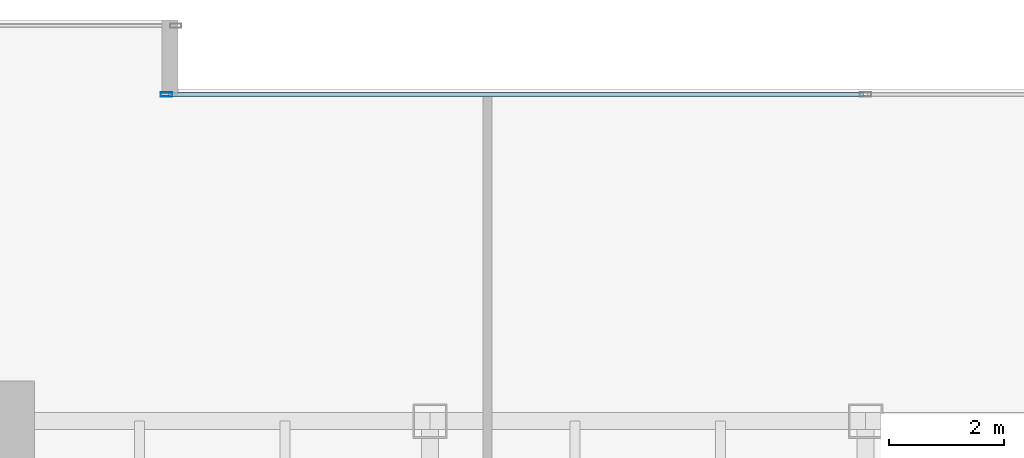
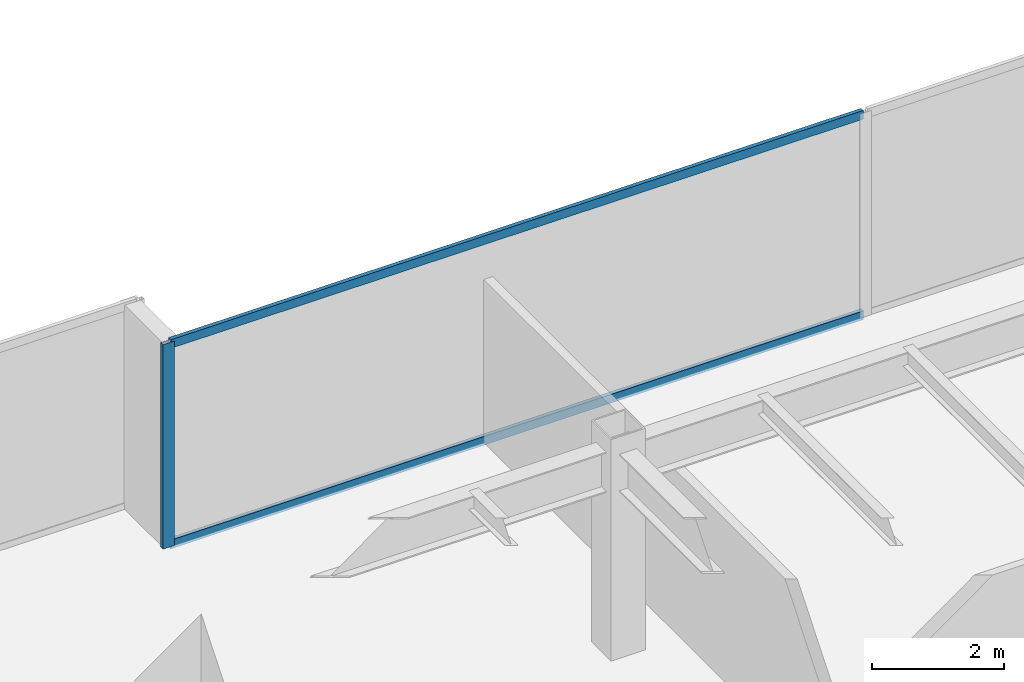
# One storey, part 14 of 35: 3 members, 1 element without a shape of its own.
"""IFC4 building model written with IfcOpenShell, lengths in metres."""

from ifc_helpers import new_model, si_unit, direction, frame, origin, origin_2d, place, context, subcontext, project, spatial, hollow_rectangle, extrude, source, transform, mapped, material, layer, layer_set, material_profile, profile_set, type_object, type_shapes, element, aggregate, save


model = new_model("IFC4")

# Units and contexts
model_context = context("Model", 3, precision=1e-05, world=origin(), true_north=direction((0.0, 1.0)))
body_context = subcontext(model_context, "Body", "Model", "MODEL_VIEW")
ifc_project = project(units=[si_unit("LENGTHUNIT", "METRE"), si_unit("AREAUNIT", "SQUARE_METRE"), si_unit("VOLUMEUNIT", "CUBIC_METRE"), si_unit("PLANEANGLEUNIT", "RADIAN"), si_unit("MASSUNIT", "GRAM", prefix="KILO")], contexts=[model_context])

# Site, building, storey
site_placement = place(None, origin())
site = spatial("IfcSite", under=ifc_project, at=site_placement, CompositionType="ELEMENT")
building_placement = place(site_placement, origin())
building = spatial("IfcBuilding", under=site, at=building_placement, Name="Haelvirn Gate Laboratories", CompositionType="ELEMENT")
storey_placement = place(building_placement, frame((0.0, 0.0, 37.5)))
storey = spatial("IfcBuildingStorey", under=building, at=storey_placement, Name="L09", CompositionType="ELEMENT", Elevation=37.5)

# Curtain wall, members
ifc_material_1 = material(Name="Anodised bronze unitised aluminium & triple low-E glass", Category="aluminium")
ifc_layer = layer(ifc_material_1, 0.18408203125, Name="CW-SYS-2")
ifc_layer_set = layer_set([ifc_layer], Name="Anodised bronze unitised aluminium & triple low-E glass")
curtain_wall_type = type_object("IfcCurtainWallType", Name="CW-SYS-2", PredefinedType="NOTDEFINED", material=ifc_layer_set)
curtain_wall_placement = place(storey_placement, origin())
curtain_wall = element("IfcCurtainWall", 1, at=curtain_wall_placement, inside=storey, type_object=curtain_wall_type, Name="L09 Unitised Curtain Wall CW-L09-P0-E12-1", PredefinedType="NOTDEFINED")
ifc_material_2 = material(Name="Extruded aluminium 6063-T6 (anodised bronze)", Category="aluminium")
ifc_material_profile_1 = material_profile(ifc_material_2, hollow_rectangle(XDim=0.074951171875, YDim=0.199951171875, WallThickness=0.0048828125, at=origin_2d()), Name="CWM-200x75x5")
ifc_profile_set_1 = profile_set([ifc_material_profile_1], Name="Extruded aluminium 6063-T6 (anodised bronze)")
member_type_1 = type_object("IfcMemberType", Name="CWM-T200", PredefinedType="MULLION", material=ifc_profile_set_1)
shared_shape_1 = source(origin(), body_context, "Body", "SweptSolid", [
    extrude(hollow_rectangle(XDim=0.074951171875, YDim=0.199951171875, WallThickness=0.0048828125, at=origin_2d()), origin(), (0.0, 0.0, 1.0), 3.780029296875),
])
type_shapes(member_type_1, [shared_shape_1])
member_1_placement = place(storey_placement, frame((25.197509765625, 47.300048828125, 0.0), z_axis=(0.0, 0.0, 1.0), x_axis=(0.0, 1.0, 0.0)))
member_1 = element("IfcMember", 2, at=member_1_placement, type_object=member_type_1, Name="CW2 mullion 1", PredefinedType="MULLION", context=body_context, shape_type="MappedRepresentation", body=[
    mapped(shared_shape_1, transform((0.0, 0.0, 0.0), scale=1.0)),
])
ifc_material_profile_2 = material_profile(ifc_material_2, hollow_rectangle(XDim=0.070068359375, YDim=0.159912109375, WallThickness=0.0048828125, at=origin_2d()), Name="CWT-160x70x5")
ifc_profile_set_2 = profile_set([ifc_material_profile_2], Name="Extruded aluminium 6063-T6 (anodised bronze)")
member_type_2 = type_object("IfcMemberType", Name="CWT-T160", PredefinedType="USERDEFINED", material=ifc_profile_set_2)
shared_shape_2 = source(origin(), body_context, "Body", "SweptSolid", [
    extrude(hollow_rectangle(XDim=0.070068359375, YDim=0.159912109375, WallThickness=0.0048828125, at=origin_2d()), origin(), (0.0, 0.0, 1.0), 12.12744140625),
])
type_shapes(member_type_2, [shared_shape_2])
member_2_placement = place(storey_placement, frame((25.235107421875, 47.300048828125, 0.034912109375), z_axis=(1.0, 0.0, 0.0), x_axis=(0.0, 1.0, 0.0)))
member_2 = element("IfcMember", 3, at=member_2_placement, type_object=member_type_2, Name="CW2 transom 1.1", ObjectType="TRANSOM", PredefinedType="USERDEFINED", context=body_context, shape_type="MappedRepresentation", body=[
    mapped(shared_shape_2, transform((0.0, 0.0, 0.0), scale=1.0)),
])
member_3_placement = place(storey_placement, frame((25.235107421875, 47.300048828125, 3.7451171875), z_axis=(1.0, 0.0, 0.0), x_axis=(0.0, 1.0, 0.0)))
member_3 = element("IfcMember", 4, at=member_3_placement, type_object=member_type_2, Name="CW2 transom 1.2", ObjectType="TRANSOM", PredefinedType="USERDEFINED", context=body_context, shape_type="MappedRepresentation", body=[
    mapped(shared_shape_2, transform((0.0, 0.0, 0.0), scale=1.0)),
])
aggregate(curtain_wall, [member_1, member_2, member_3])

save(model, "model.ifc")
